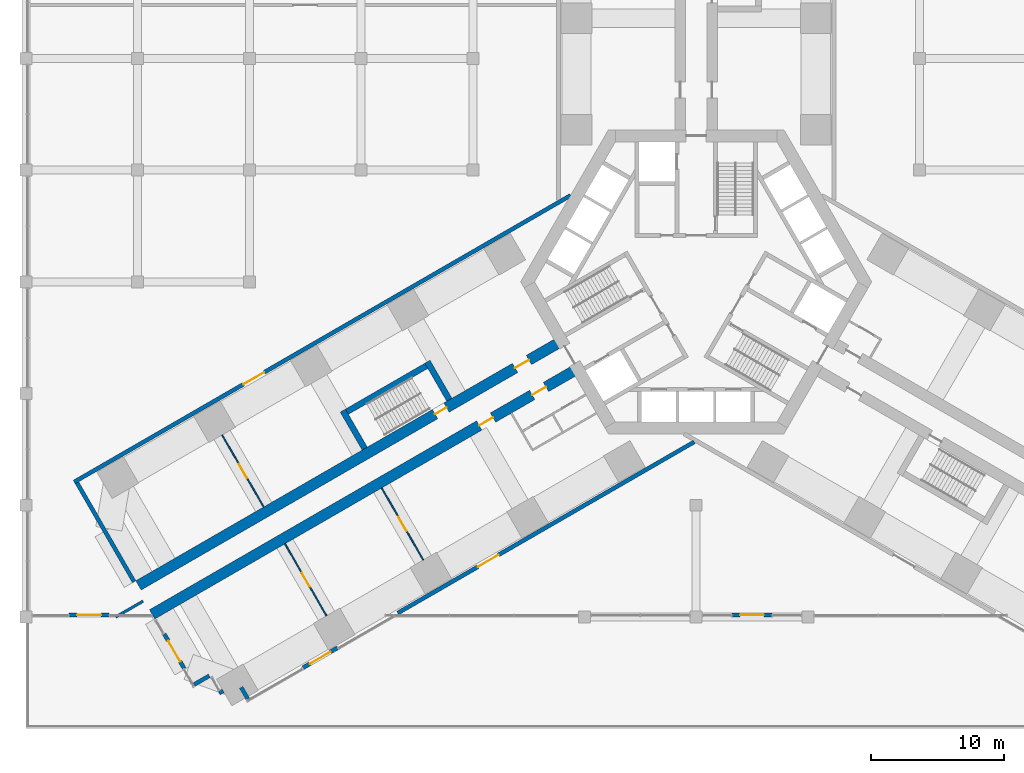
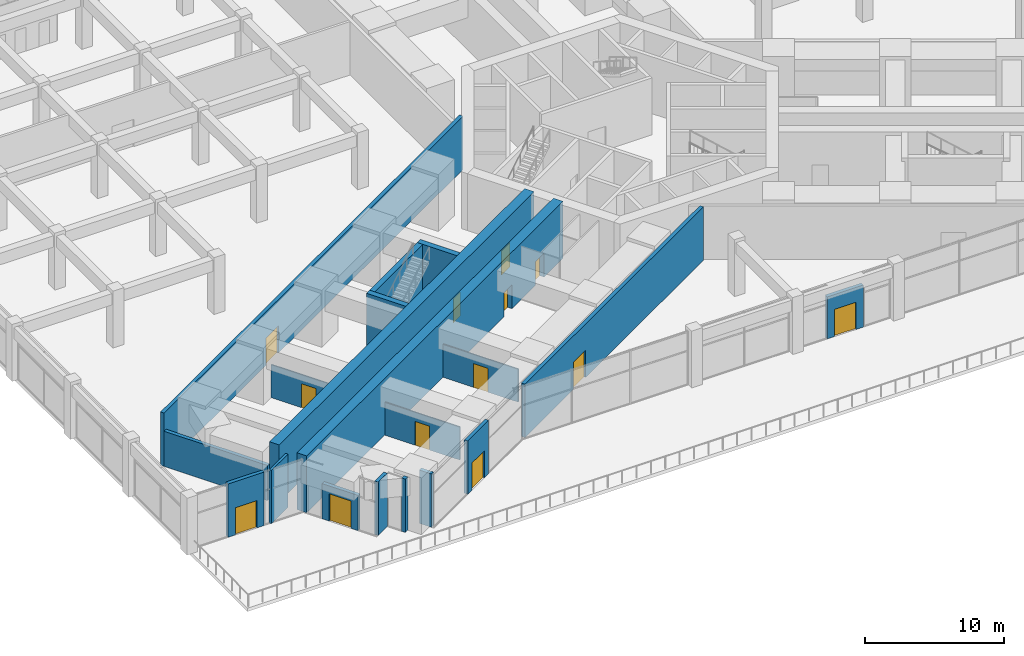
# One storey, part 26 of 34: 19 walls, 13 doors, 13 openings.
"""IFC4 building model written with IfcOpenShell, lengths in metres."""

from ifc_helpers import new_model, si_unit, direction, frame, frame_2d, origin, place, context, subcontext, project, spatial, rectangle, extrude, material, layer, layer_set, type_object, element, fill, save


model = new_model("IFC4")

# Units and contexts
model_context = context("Model", 3, precision=1e-05, world=origin(), true_north=direction((0.0, 1.0)))
body_context = subcontext(model_context, "Body", "Model", "MODEL_VIEW")
ifc_project = project(units=[si_unit("LENGTHUNIT", "METRE"), si_unit("AREAUNIT", "SQUARE_METRE"), si_unit("VOLUMEUNIT", "CUBIC_METRE"), si_unit("PLANEANGLEUNIT", "RADIAN"), si_unit("MASSUNIT", "GRAM", prefix="KILO")], contexts=[model_context])

# Site, building, storey
site_placement = place(None, origin())
site = spatial("IfcSite", under=ifc_project, at=site_placement, CompositionType="ELEMENT")
building_placement = place(site_placement, origin())
building = spatial("IfcBuilding", under=site, at=building_placement, Name="Impinga Residences", CompositionType="ELEMENT")
storey_placement = place(building_placement, frame((0.0, 0.0, 11.0)))
storey = spatial("IfcBuildingStorey", under=building, at=storey_placement, Name="L02", CompositionType="ELEMENT", Elevation=11.0)

# Wall, openings, doors
ifc_material_1 = material(Name="Concrete C70/85", Category="concrete")
ifc_layer_1 = layer(ifc_material_1, 0.800048828125)
ifc_layer_set_1 = layer_set([ifc_layer_1], Name="Concrete C70/85")
wall_type_1 = type_object("IfcWallType", Name="BW0 corridor buttress wall, B3 to L04 800", PredefinedType="SHEAR", material=ifc_layer_set_1)
wall_1_placement = place(storey_placement, frame((-8.910400390625, -6.530029296875, 0.0), z_axis=(0.0, 0.0, 1.0), x_axis=(-0.866024404313, -0.500001731131, 0.0)))
wall_1 = element("IfcWall", 1, at=wall_1_placement, inside=storey, type_object=wall_type_1, Name="Corridor wall BW0 WC L02", PredefinedType="SHEAR", context=body_context, shape_type="SweptSolid", body=[
    extrude(rectangle(XDim=36.952880859375, YDim=0.800048828125, at=frame_2d((18.4765625, 0.0))), origin(), (0.0, 0.0, 1.0), 5.0),
])
opening_1_placement = place(wall_1_placement, frame((2.75, 0.0, 0.0)))
opening_1 = element("IfcOpeningElement", 2, at=opening_1_placement, cuts=wall_1, Name="Opening D3", PredefinedType="OPENING", context=body_context, shape_type="SweptSolid", body=[
    extrude(rectangle(XDim=1.199951171875, YDim=2.10009765625, at=frame_2d((0.60009765625, 1.050048828125))), frame((0.0, 0.409912109375, 0.0), z_axis=(0.0, -1.0, 0.0), x_axis=(1.0, 0.0, 0.0)), (0.0, 0.0, 1.0), 0.820068359375),
])
opening_2_placement = place(wall_1_placement, frame((7.35009765625, 0.0, 0.0)))
opening_2 = element("IfcOpeningElement", 3, at=opening_2_placement, cuts=wall_1, Name="Opening D3", PredefinedType="OPENING", context=body_context, shape_type="SweptSolid", body=[
    extrude(rectangle(XDim=1.199951171875, YDim=2.10009765625, at=frame_2d((0.60009765625, 1.050048828125))), frame((0.0, 0.409912109375, 0.0), z_axis=(0.0, -1.0, 0.0), x_axis=(1.0, 0.0, 0.0)), (0.0, 0.0, 1.0), 0.820068359375),
])
ifc_material_2 = material(Name="Timber door set", Category="wood")
door_type_1 = type_object("IfcDoorType", Name="D3 room door, leaf and a half 1200x2100", OperationType="DOUBLE_SWING_LEFT", PredefinedType="DOOR", material=ifc_material_2)
door_1_placement = place(opening_1_placement, origin())
door_1 = element("IfcDoor", 4, at=door_1_placement, inside=storey, type_object=door_type_1, Name="WC lobby door L02-WA1", OperationType="DOUBLE_SWING_LEFT", OverallHeight=2.10009765625, OverallWidth=1.199951171875, PredefinedType="DOOR", context=body_context, shape_type="SweptSolid", body=[
    extrude(rectangle(XDim=1.199951171875, YDim=2.10009765625, at=frame_2d((0.60009765625, 1.050048828125))), frame((0.0, 0.02490234375, 0.0), z_axis=(0.0, -1.0, 0.0), x_axis=(1.0, 0.0, 0.0)), (0.0, 0.0, 1.0), 0.050048828125),
])
fill(opening_1, door_1)
door_2_placement = place(opening_2_placement, origin())
door_2 = element("IfcDoor", 5, at=door_2_placement, inside=storey, type_object=door_type_1, Name="Treatment room door L02-WA1", OperationType="DOUBLE_SWING_LEFT", OverallHeight=2.10009765625, OverallWidth=1.199951171875, PredefinedType="DOOR", context=body_context, shape_type="SweptSolid", body=[
    extrude(rectangle(XDim=1.199951171875, YDim=2.10009765625, at=frame_2d((0.60009765625, 1.050048828125))), frame((0.0, 0.02490234375, 0.0), z_axis=(0.0, -1.0, 0.0), x_axis=(1.0, 0.0, 0.0)), (0.0, 0.0, 1.0), 0.050048828125),
])
fill(opening_2, door_2)

wall_2_placement = place(storey_placement, frame((-10.1103515625, -4.451416015625, 0.0), z_axis=(0.0, 0.0, 1.0), x_axis=(-0.866025284237, -0.500000207062, 0.0)))
wall_2 = element("IfcWall", 6, at=wall_2_placement, inside=storey, type_object=wall_type_1, Name="Corridor wall BW0 WD L02", PredefinedType="SHEAR", context=body_context, shape_type="SweptSolid", body=[
    extrude(rectangle(XDim=36.75, YDim=0.800048828125, at=frame_2d((18.375, 0.0))), origin(), (0.0, 0.0, 1.0), 5.0),
])
opening_3_placement = place(wall_2_placement, frame((10.0, 0.0, 0.0)))
opening_3 = element("IfcOpeningElement", 7, at=opening_3_placement, cuts=wall_2, Name="Opening D5", PredefinedType="OPENING", context=body_context, shape_type="SweptSolid", body=[
    extrude(rectangle(XDim=1.0, YDim=2.10009765625, at=frame_2d((0.5, 1.050048828125))), frame((0.0, 0.409912109375, 0.0), z_axis=(0.0, -1.0, 0.0), x_axis=(1.0, 0.0, 0.0)), (0.0, 0.0, 1.0), 0.820068359375),
])
opening_4_placement = place(wall_2_placement, frame((2.85009765625, 0.0, 0.0)))
opening_4 = element("IfcOpeningElement", 8, at=opening_4_placement, cuts=wall_2, Name="Opening D3", PredefinedType="OPENING", context=body_context, shape_type="SweptSolid", body=[
    extrude(rectangle(XDim=1.199951171875, YDim=2.10009765625, at=frame_2d((0.60009765625, 1.050048828125))), frame((0.0, 0.409912109375, 0.0), z_axis=(0.0, -1.0, 0.0), x_axis=(1.0, 0.0, 0.0)), (0.0, 0.0, 1.0), 0.820068359375),
])
door_3_placement = place(opening_4_placement, origin())
door_3 = element("IfcDoor", 9, at=door_3_placement, inside=storey, type_object=door_type_1, Name="Yoga studio door L02-WF1", OperationType="DOUBLE_SWING_LEFT", OverallHeight=2.10009765625, OverallWidth=1.199951171875, PredefinedType="DOOR", context=body_context, shape_type="SweptSolid", body=[
    extrude(rectangle(XDim=1.199951171875, YDim=2.10009765625, at=frame_2d((0.60009765625, 1.050048828125))), frame((0.0, 0.02490234375, 0.0), z_axis=(0.0, -1.0, 0.0), x_axis=(1.0, 0.0, 0.0)), (0.0, 0.0, 1.0), 0.050048828125),
])
fill(opening_4, door_3)
door_type_2 = type_object("IfcDoorType", Name="D5 stair door 1000x2100", OperationType="SINGLE_SWING_LEFT", PredefinedType="DOOR", material=ifc_material_2)
door_4_placement = place(opening_3_placement, origin())
door_4 = element("IfcDoor", 10, at=door_4_placement, inside=storey, type_object=door_type_2, Name="Wing stair door W", OperationType="SINGLE_SWING_LEFT", OverallHeight=2.10009765625, OverallWidth=1.0, PredefinedType="DOOR", context=body_context, shape_type="SweptSolid", body=[
    extrude(rectangle(XDim=1.0, YDim=2.10009765625, at=frame_2d((0.5, 1.050048828125))), frame((0.0, 0.02490234375, 0.0), z_axis=(0.0, -1.0, 0.0), x_axis=(1.0, 0.0, 0.0)), (0.0, 0.0, 1.0), 0.050048828125),
])
fill(opening_3, door_4)

# Wall, opening, door
ifc_material_3 = material(Name="Concrete blockwork", Category="masonry")
ifc_layer_2 = layer(ifc_material_3, 0.10009765625)
ifc_layer_set_2 = layer_set([ifc_layer_2], Name="CP1 core room partition, blockwork 100")
wall_type_2 = type_object("IfcWallType", Name="CP1 core room partition, blockwork 100", PredefinedType="PARTITIONING", material=ifc_layer_set_2)
wall_3_placement = place(storey_placement, frame((-23.649169921875, -15.50146484375, 0.0), z_axis=(0.0, 0.0, 1.0), x_axis=(0.500004234368, -0.866022959057, 0.0)))
wall_3 = element("IfcWall", 11, at=wall_3_placement, inside=storey, type_object=wall_type_2, Name="Core room partition, blockwork L02-WA1:PS1", PredefinedType="PARTITIONING", context=body_context, shape_type="SweptSolid", body=[
    extrude(rectangle(XDim=6.25, YDim=0.10009765625, at=frame_2d((3.125, 0.0))), origin(), (0.0, 0.0, 1.0), 2.89990234375),
])
opening_5_placement = place(wall_3_placement, frame((2.52490234375, 0.0, 0.0)))
opening_5 = element("IfcOpeningElement", 12, at=opening_5_placement, cuts=wall_3, Name="Opening D3", PredefinedType="OPENING", context=body_context, shape_type="SweptSolid", body=[
    extrude(rectangle(XDim=1.199951171875, YDim=2.10009765625, at=frame_2d((0.60009765625, 1.050048828125))), frame((0.0, 0.06005859375, 0.0), z_axis=(0.0, -1.0, 0.0), x_axis=(1.0, 0.0, 0.0)), (0.0, 0.0, 1.0), 0.1201171875),
])
door_5_placement = place(opening_5_placement, origin())
door_5 = element("IfcDoor", 13, at=door_5_placement, inside=storey, type_object=door_type_1, Name="Treatment room door L02-WA1", OperationType="DOUBLE_SWING_LEFT", OverallHeight=2.10009765625, OverallWidth=1.199951171875, PredefinedType="DOOR", context=body_context, shape_type="SweptSolid", body=[
    extrude(rectangle(XDim=1.199951171875, YDim=2.10009765625, at=frame_2d((0.60009765625, 1.050048828125))), frame((0.0, 0.02490234375, 0.0), z_axis=(0.0, -1.0, 0.0), x_axis=(1.0, 0.0, 0.0)), (0.0, 0.0, 1.0), 0.050048828125),
])
fill(opening_5, door_5)

wall_4_placement = place(storey_placement, frame((-30.923828125, -19.701416015625, 0.0), z_axis=(0.0, 0.0, 1.0), x_axis=(0.500004234368, -0.866022959057, 0.0)))
wall_4 = element("IfcWall", 14, at=wall_4_placement, inside=storey, type_object=wall_type_2, Name="Core room partition, blockwork L02-WA1:PS2", PredefinedType="PARTITIONING", context=body_context, shape_type="SweptSolid", body=[
    extrude(rectangle(XDim=6.25, YDim=0.10009765625, at=frame_2d((3.125, 0.0))), origin(), (0.0, 0.0, 1.0), 2.89990234375),
])
opening_6_placement = place(wall_4_placement, frame((2.52490234375, 0.0, 0.0)))
opening_6 = element("IfcOpeningElement", 15, at=opening_6_placement, cuts=wall_4, Name="Opening D3", PredefinedType="OPENING", context=body_context, shape_type="SweptSolid", body=[
    extrude(rectangle(XDim=1.199951171875, YDim=2.10009765625, at=frame_2d((0.60009765625, 1.050048828125))), frame((0.0, 0.06005859375, 0.0), z_axis=(0.0, -1.0, 0.0), x_axis=(1.0, 0.0, 0.0)), (0.0, 0.0, 1.0), 0.1201171875),
])
door_6_placement = place(opening_6_placement, origin())
door_6 = element("IfcDoor", 16, at=door_6_placement, inside=storey, type_object=door_type_1, Name="Treatment room door L02-WA1", OperationType="DOUBLE_SWING_LEFT", OverallHeight=2.10009765625, OverallWidth=1.199951171875, PredefinedType="DOOR", context=body_context, shape_type="SweptSolid", body=[
    extrude(rectangle(XDim=1.199951171875, YDim=2.10009765625, at=frame_2d((0.60009765625, 1.050048828125))), frame((0.0, 0.02490234375, 0.0), z_axis=(0.0, -1.0, 0.0), x_axis=(1.0, 0.0, 0.0)), (0.0, 0.0, 1.0), 0.050048828125),
])
fill(opening_6, door_6)

wall_5_placement = place(storey_placement, frame((-32.52392578125, -16.93017578125, 0.0), z_axis=(0.0, 0.0, 1.0), x_axis=(-0.500004234368, 0.866022959057, 0.0)))
wall_5 = element("IfcWall", 17, at=wall_5_placement, inside=storey, type_object=wall_type_2, Name="Core room partition, blockwork L02-WF1:PS1", PredefinedType="PARTITIONING", context=body_context, shape_type="SweptSolid", body=[
    extrude(rectangle(XDim=6.25, YDim=0.10009765625, at=frame_2d((3.125, 0.0))), origin(), (0.0, 0.0, 1.0), 2.89990234375),
])
opening_7_placement = place(wall_5_placement, frame((2.52490234375, 0.0, 0.0)))
opening_7 = element("IfcOpeningElement", 18, at=opening_7_placement, cuts=wall_5, Name="Opening D3", PredefinedType="OPENING", context=body_context, shape_type="SweptSolid", body=[
    extrude(rectangle(XDim=1.199951171875, YDim=2.10009765625, at=frame_2d((0.60009765625, 1.050048828125))), frame((0.0, 0.06005859375, 0.0), z_axis=(0.0, -1.0, 0.0), x_axis=(1.0, 0.0, 0.0)), (0.0, 0.0, 1.0), 0.1201171875),
])
door_7_placement = place(opening_7_placement, origin())
door_7 = element("IfcDoor", 19, at=door_7_placement, inside=storey, type_object=door_type_1, Name="Studio store door L02-WF1", OperationType="DOUBLE_SWING_LEFT", OverallHeight=2.10009765625, OverallWidth=1.199951171875, PredefinedType="DOOR", context=body_context, shape_type="SweptSolid", body=[
    extrude(rectangle(XDim=1.199951171875, YDim=2.10009765625, at=frame_2d((0.60009765625, 1.050048828125))), frame((0.0, 0.02490234375, 0.0), z_axis=(0.0, -1.0, 0.0), x_axis=(1.0, 0.0, 0.0)), (0.0, 0.0, 1.0), 0.050048828125),
])
fill(opening_7, door_7)

# Walls
ifc_material_4 = material(Name="Stone facing on blockwork", Category="masonry")
ifc_layer_3 = layer(ifc_material_4, 0.300048828125)
ifc_layer_set_3 = layer_set([ifc_layer_3], Name="EW2 external wall, stone facing on blockwork 300")
wall_type_3 = type_object("IfcWallType", Name="EW2 external wall, stone facing on blockwork 300", PredefinedType="SOLIDWALL", material=ifc_layer_set_3)
wall_6_placement = place(storey_placement, frame((-35.572021484375, -30.756591796875, 0.0), z_axis=(0.0, 0.0, 1.0), x_axis=(-0.865939549016, -0.500148675346, 0.0)))
element("IfcWall", 20, at=wall_6_placement, inside=storey, type_object=wall_type_3, Name="External wall EW2 L02", PredefinedType="SOLIDWALL", context=body_context, shape_type="SweptSolid", body=[
    extrude(rectangle(XDim=0.34716796875, YDim=0.300048828125, at=frame_2d((0.173583984375, 0.0))), origin(), (0.0, 0.0, 1.0), 4.699951171875),
])
wall_7_placement = place(storey_placement, frame((-36.6181640625, -29.628662109375, 0.0), z_axis=(0.0, 0.0, 1.0), x_axis=(-0.866101796549, -0.4998676605, 0.0)))
element("IfcWall", 21, at=wall_7_placement, inside=storey, type_object=wall_type_3, Name="External wall EW2 L02", PredefinedType="SOLIDWALL", context=body_context, shape_type="SweptSolid", body=[
    extrude(rectangle(XDim=1.309814453125, YDim=0.300048828125, at=frame_2d((0.65478515625, 0.0))), origin(), (0.0, 0.0, 1.0), 4.699951171875),
])

# Wall, opening, door
wall_8_placement = place(storey_placement, frame((-38.499755859375, -29.07958984375, 0.0), z_axis=(0.0, 0.0, 1.0), x_axis=(-0.499990139034, 0.866031096941, 0.0)))
wall_8 = element("IfcWall", 22, at=wall_8_placement, inside=storey, type_object=wall_type_3, Name="External wall EW2 L02", PredefinedType="SOLIDWALL", context=body_context, shape_type="SweptSolid", body=[
    extrude(rectangle(XDim=3.0, YDim=0.300048828125, at=frame_2d((1.5, 0.0))), origin(), (0.0, 0.0, 1.0), 3.10009765625),
])
opening_8_placement = place(wall_8_placement, frame((0.60009765625, 0.0, 0.0)))
opening_8 = element("IfcOpeningElement", 23, at=opening_8_placement, cuts=wall_8, Name="Opening TD2", PredefinedType="OPENING", context=body_context, shape_type="SweptSolid", body=[
    extrude(rectangle(XDim=1.800048828125, YDim=2.39990234375, at=frame_2d((0.89990234375, 1.199951171875))), frame((0.0, 0.159912109375, 0.0), z_axis=(0.0, -1.0, 0.0), x_axis=(1.0, 0.0, 0.0)), (0.0, 0.0, 1.0), 0.320068359375),
])
ifc_material_5 = material(Name="Glazed aluminium door", Category="aluminium")
door_type_3 = type_object("IfcDoorType", Name="TD2 terrace door pair 1800x2400", OperationType="DOUBLE_DOOR_SINGLE_SWING", PredefinedType="DOOR", material=ifc_material_5)
door_8_placement = place(opening_8_placement, origin())
door_8 = element("IfcDoor", 24, at=door_8_placement, inside=storey, type_object=door_type_3, Name="Terrace doors L02", OperationType="DOUBLE_DOOR_SINGLE_SWING", OverallHeight=2.39990234375, OverallWidth=1.800048828125, PredefinedType="DOOR", context=body_context, shape_type="SweptSolid", body=[
    extrude(rectangle(XDim=1.800048828125, YDim=2.39990234375, at=frame_2d((0.89990234375, 1.199951171875))), frame((0.0, 0.02490234375, 0.0), z_axis=(0.0, -1.0, 0.0), x_axis=(1.0, 0.0, 0.0)), (0.0, 0.0, 1.0), 0.050048828125),
])
fill(opening_8, door_8)

wall_9_placement = place(storey_placement, frame((-44.156494140625, -25.050048828125, 0.0), z_axis=(0.0, 0.0, 1.0), x_axis=(-1.0, 0.0, 0.0)))
wall_9 = element("IfcWall", 25, at=wall_9_placement, inside=storey, type_object=wall_type_3, Name="External wall EW2 L02", PredefinedType="SOLIDWALL", context=body_context, shape_type="SweptSolid", body=[
    extrude(rectangle(XDim=3.0, YDim=0.300048828125, at=frame_2d((1.5, 0.0))), origin(), (0.0, 0.0, 1.0), 4.699951171875),
])
opening_9_placement = place(wall_9_placement, frame((0.60009765625, 0.0, 0.0)))
opening_9 = element("IfcOpeningElement", 26, at=opening_9_placement, cuts=wall_9, Name="Opening TD2", PredefinedType="OPENING", context=body_context, shape_type="SweptSolid", body=[
    extrude(rectangle(XDim=1.800048828125, YDim=2.39990234375, at=frame_2d((0.89990234375, 1.199951171875))), frame((0.0, 0.159912109375, 0.0), z_axis=(0.0, -1.0, 0.0), x_axis=(1.0, 0.0, 0.0)), (0.0, 0.0, 1.0), 0.320068359375),
])
door_9_placement = place(opening_9_placement, origin())
door_9 = element("IfcDoor", 27, at=door_9_placement, inside=storey, type_object=door_type_3, Name="Terrace doors L02", OperationType="DOUBLE_DOOR_SINGLE_SWING", OverallHeight=2.39990234375, OverallWidth=1.800048828125, PredefinedType="DOOR", context=body_context, shape_type="SweptSolid", body=[
    extrude(rectangle(XDim=1.800048828125, YDim=2.39990234375, at=frame_2d((0.89990234375, 1.199951171875))), frame((0.0, 0.02490234375, 0.0), z_axis=(0.0, -1.0, 0.0), x_axis=(1.0, 0.0, 0.0)), (0.0, 0.0, 1.0), 0.050048828125),
])
fill(opening_9, door_9)

wall_10_placement = place(storey_placement, frame((5.69970703125, -25.050048828125, 0.0), z_axis=(0.0, 0.0, 1.0), x_axis=(-1.0, 0.0, 0.0)))
wall_10 = element("IfcWall", 28, at=wall_10_placement, inside=storey, type_object=wall_type_3, Name="External wall EW2 L02", PredefinedType="SOLIDWALL", context=body_context, shape_type="SweptSolid", body=[
    extrude(rectangle(XDim=3.0, YDim=0.300048828125, at=frame_2d((1.5, 0.0))), origin(), (0.0, 0.0, 1.0), 3.699951171875),
])
opening_10_placement = place(wall_10_placement, frame((0.60009765625, 0.0, 0.0)))
opening_10 = element("IfcOpeningElement", 29, at=opening_10_placement, cuts=wall_10, Name="Opening TD2", PredefinedType="OPENING", context=body_context, shape_type="SweptSolid", body=[
    extrude(rectangle(XDim=1.800048828125, YDim=2.39990234375, at=frame_2d((0.89990234375, 1.199951171875))), frame((0.0, 0.159912109375, 0.0), z_axis=(0.0, -1.0, 0.0), x_axis=(1.0, 0.0, 0.0)), (0.0, 0.0, 1.0), 0.320068359375),
])
door_10_placement = place(opening_10_placement, origin())
door_10 = element("IfcDoor", 30, at=door_10_placement, inside=storey, type_object=door_type_3, Name="Terrace doors L02", OperationType="DOUBLE_DOOR_SINGLE_SWING", OverallHeight=2.39990234375, OverallWidth=1.800048828125, PredefinedType="DOOR", context=body_context, shape_type="SweptSolid", body=[
    extrude(rectangle(XDim=1.800048828125, YDim=2.39990234375, at=frame_2d((0.89990234375, 1.199951171875))), frame((0.0, 0.02490234375, 0.0), z_axis=(0.0, -1.0, 0.0), x_axis=(1.0, 0.0, 0.0)), (0.0, 0.0, 1.0), 0.050048828125),
])
fill(opening_10, door_10)

wall_11_placement = place(storey_placement, frame((-26.97412109375, -27.524658203125, 0.0), z_axis=(0.0, 0.0, 1.0), x_axis=(-0.866010750942, -0.50002537861, 0.0)))
wall_11 = element("IfcWall", 31, at=wall_11_placement, inside=storey, type_object=wall_type_3, Name="External wall EW2 L02", PredefinedType="SOLIDWALL", context=body_context, shape_type="SweptSolid", body=[
    extrude(rectangle(XDim=2.999755859375, YDim=0.300048828125, at=frame_2d((1.5, 0.0))), origin(), (0.0, 0.0, 1.0), 4.699951171875),
])
opening_11_placement = place(wall_11_placement, frame((0.60009765625, 0.0, 0.0)))
opening_11 = element("IfcOpeningElement", 32, at=opening_11_placement, cuts=wall_11, Name="Opening TD2", PredefinedType="OPENING", context=body_context, shape_type="SweptSolid", body=[
    extrude(rectangle(XDim=1.800048828125, YDim=2.39990234375, at=frame_2d((0.89990234375, 1.199951171875))), frame((0.0, 0.159912109375, 0.0), z_axis=(0.0, -1.0, 0.0), x_axis=(1.0, 0.0, 0.0)), (0.0, 0.0, 1.0), 0.320068359375),
])
door_11_placement = place(opening_11_placement, origin())
door_11 = element("IfcDoor", 33, at=door_11_placement, inside=storey, type_object=door_type_3, Name="Terrace doors L02", OperationType="DOUBLE_DOOR_SINGLE_SWING", OverallHeight=2.39990234375, OverallWidth=1.800048828125, PredefinedType="DOOR", context=body_context, shape_type="SweptSolid", body=[
    extrude(rectangle(XDim=1.800048828125, YDim=2.39990234375, at=frame_2d((0.89990234375, 1.199951171875))), frame((0.0, 0.02490234375, 0.0), z_axis=(0.0, -1.0, 0.0), x_axis=(1.0, 0.0, 0.0)), (0.0, 0.0, 1.0), 0.050048828125),
])
fill(opening_11, door_11)

# Walls
wall_12_placement = place(storey_placement, frame((-33.716064453125, -31.365234375, 0.0), z_axis=(0.0, 0.0, 1.0), x_axis=(-0.499953773667, 0.866052090925, 0.0)))
element("IfcWall", 34, at=wall_12_placement, inside=storey, type_object=wall_type_3, Name="External wall EW2 L02", PredefinedType="SOLIDWALL", context=body_context, shape_type="SweptSolid", body=[
    extrude(rectangle(XDim=1.0048828125, YDim=0.300048828125, at=frame_2d((0.50244140625, 0.0))), origin(), (0.0, 0.0, 1.0), 4.699951171875),
])
ifc_layer_4 = layer(ifc_material_3, 0.199951171875)
ifc_layer_set_4 = layer_set([ifc_layer_4], Name="PW2 podium compartment wall 200")
wall_type_4 = type_object("IfcWallType", Name="PW2 podium compartment wall 200", PredefinedType="SOLIDWALL", material=ifc_layer_set_4)
wall_13_placement = place(storey_placement, frame((-41.596435546875, -24.015869140625, 0.0), z_axis=(0.0, 0.0, 1.0), x_axis=(-0.866065436262, -0.499930655304, 0.0)))
element("IfcWall", 35, at=wall_13_placement, inside=storey, type_object=wall_type_4, Name="Podium compartment wall L02:REG:W", PredefinedType="SOLIDWALL", context=body_context, shape_type="SweptSolid", body=[
    extrude(rectangle(XDim=2.368408203125, YDim=0.199951171875, at=frame_2d((1.18408203125, 0.0))), origin(), (0.0, 0.0, 1.0), 4.699951171875),
])
ifc_layer_5 = layer(ifc_material_3, 0.300048828125)
ifc_layer_set_5 = layer_set([ifc_layer_5], Name="PW3 podium wall on the wing face 300")
wall_type_5 = type_object("IfcWallType", Name="PW3 podium wall on the wing face 300", PredefinedType="SOLIDWALL", material=ifc_layer_set_5)
wall_14_placement = place(storey_placement, frame((-42.2666015625, -22.55517578125, 0.0), z_axis=(0.0, 0.0, 1.0), x_axis=(-0.500007509209, 0.866021068297, 0.0)))
element("IfcWall", 36, at=wall_14_placement, inside=storey, type_object=wall_type_5, Name="Podium wall on the wing face L02:END:WF", PredefinedType="SOLIDWALL", context=body_context, shape_type="SweptSolid", body=[
    extrude(rectangle(XDim=8.599853515625, YDim=0.300048828125, at=frame_2d((4.2998046875, 0.0))), origin(), (0.0, 0.0, 1.0), 3.10009765625),
])

# Wall, opening, door
wall_15_placement = place(storey_placement, frame((-0.14990234375, -12.037841796875, 0.0), z_axis=(0.0, 0.0, 1.0), x_axis=(-0.866030473254, -0.499991219318, 0.0)))
wall_15 = element("IfcWall", 37, at=wall_15_placement, inside=storey, type_object=wall_type_5, Name="Podium wall on the wing face L02:SIDE:WA0", PredefinedType="SOLIDWALL", context=body_context, shape_type="SweptSolid", body=[
    extrude(rectangle(XDim=25.73876953125, YDim=0.300048828125, at=frame_2d((12.869384765625, 0.0))), origin(), (0.0, 0.0, 1.0), 4.699951171875),
])
opening_12_placement = place(wall_15_placement, frame((16.982666015625, 0.0, 0.0)))
opening_12 = element("IfcOpeningElement", 38, at=opening_12_placement, cuts=wall_15, Name="Opening D7", PredefinedType="OPENING", context=body_context, shape_type="SweptSolid", body=[
    extrude(rectangle(XDim=1.800048828125, YDim=2.39990234375, at=frame_2d((0.89990234375, 1.199951171875))), frame((0.0, 0.159912109375, 0.0), z_axis=(0.0, -1.0, 0.0), x_axis=(1.0, 0.0, 0.0)), (0.0, 0.0, 1.0), 0.320068359375),
])
door_type_4 = type_object("IfcDoorType", Name="D7 podium door pair 1800x2400", OperationType="DOUBLE_DOOR_DOUBLE_SWING", PredefinedType="DOOR", material=ifc_material_2)
door_12_placement = place(opening_12_placement, origin())
door_12 = element("IfcDoor", 39, at=door_12_placement, inside=storey, type_object=door_type_4, Name="Double door WA", OperationType="DOUBLE_DOOR_DOUBLE_SWING", OverallHeight=2.39990234375, OverallWidth=1.800048828125, PredefinedType="DOOR", context=body_context, shape_type="SweptSolid", body=[
    extrude(rectangle(XDim=1.800048828125, YDim=2.39990234375, at=frame_2d((0.89990234375, 1.199951171875))), frame((0.0, 0.02490234375, 0.0), z_axis=(0.0, -1.0, 0.0), x_axis=(1.0, 0.0, 0.0)), (0.0, 0.0, 1.0), 0.050048828125),
])
fill(opening_12, door_12)

wall_16_placement = place(storey_placement, frame((-9.449951171875, 6.4951171875, 0.0), z_axis=(0.0, 0.0, 1.0), x_axis=(-0.866025301493, -0.500000177174, 0.0)))
wall_16 = element("IfcWall", 40, at=wall_16_placement, inside=storey, type_object=wall_type_5, Name="Podium wall on the wing face L02:SIDE:WF0", PredefinedType="SOLIDWALL", context=body_context, shape_type="SweptSolid", body=[
    extrude(rectangle(XDim=43.09521484375, YDim=0.300048828125, at=frame_2d((21.547607421875, 0.0))), origin(), (0.0, 0.0, 1.0), 4.699951171875),
])
opening_13_placement = place(wall_16_placement, frame((26.59521484375, 0.0, 0.0)))
opening_13 = element("IfcOpeningElement", 41, at=opening_13_placement, cuts=wall_16, Name="Opening D7", PredefinedType="OPENING", context=body_context, shape_type="SweptSolid", body=[
    extrude(rectangle(XDim=1.800048828125, YDim=2.39990234375, at=frame_2d((0.89990234375, 1.199951171875))), frame((0.0, 0.159912109375, 0.0), z_axis=(0.0, -1.0, 0.0), x_axis=(1.0, 0.0, 0.0)), (0.0, 0.0, 1.0), 0.320068359375),
])
door_13_placement = place(opening_13_placement, origin())
door_13 = element("IfcDoor", 42, at=door_13_placement, inside=storey, type_object=door_type_4, Name="Double door WF", OperationType="DOUBLE_DOOR_DOUBLE_SWING", OverallHeight=2.39990234375, OverallWidth=1.800048828125, PredefinedType="DOOR", context=body_context, shape_type="SweptSolid", body=[
    extrude(rectangle(XDim=1.800048828125, YDim=2.39990234375, at=frame_2d((0.89990234375, 1.199951171875))), frame((0.0, 0.02490234375, 0.0), z_axis=(0.0, -1.0, 0.0), x_axis=(1.0, 0.0, 0.0)), (0.0, 0.0, 1.0), 0.050048828125),
])
fill(opening_13, door_13)

# Walls
ifc_material_6 = material(Name="Concrete C60/75", Category="concrete")
ifc_layer_6 = layer(ifc_material_6, 0.449951171875)
ifc_layer_set_6 = layer_set([ifc_layer_6], Name="Concrete C60/75")
wall_type_6 = type_object("IfcWallType", Name="SE2 wing stair enclosure wall, ground and podium storeys 450", PredefinedType="SOLIDWALL", material=ifc_layer_set_6)
for number, where, z_axis, x_axis, name in (
    (43, (-18.55908203125, -8.86767578125, 0.0), (0.0, 0.0, 1.0), (-0.50002983664, 0.866008176907, 0.0), "Stair enclosure wall SE2 W END0 L02"),
    (44, (-24.924560546875, -12.542724609375, 0.0), (0.0, 0.0, 1.0), (-0.499974350878, 0.866040211805, 0.0), "Stair enclosure wall SE2 W END1 L02"),
):
    element("IfcWall", number, at=place(storey_placement, frame(where, z_axis=z_axis, x_axis=x_axis)), inside=storey, type_object=wall_type_6, Name=name, PredefinedType="SOLIDWALL", context=body_context, shape_type="SweptSolid", body=[
        extrude(rectangle(XDim=3.300048828125, YDim=0.449951171875, at=frame_2d((1.64990234375, 0.0))), origin(), (0.0, 0.0, 1.0), 5.0),
    ])
wall_17_placement = place(storey_placement, frame((-20.29150390625, -6.317138671875, 0.0), z_axis=(0.0, 0.0, 1.0), x_axis=(-0.866028853923, -0.499994024137, 0.0)))
element("IfcWall", 45, at=wall_17_placement, inside=storey, type_object=wall_type_6, Name="Stair enclosure wall SE2 W OUT L02", PredefinedType="SOLIDWALL", context=body_context, shape_type="SweptSolid", body=[
    extrude(rectangle(XDim=6.89990234375, YDim=0.449951171875, at=frame_2d((3.449951171875, 0.0))), origin(), (0.0, 0.0, 1.0), 5.0),
])

save(model, "model.ifc")
